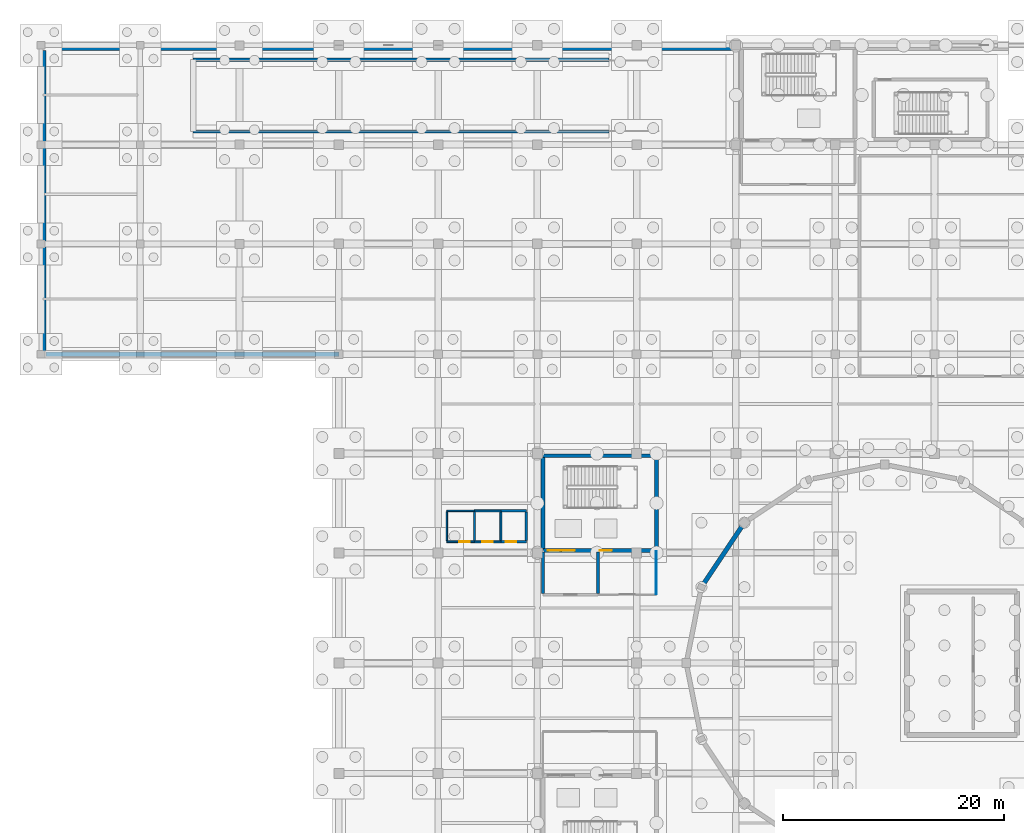
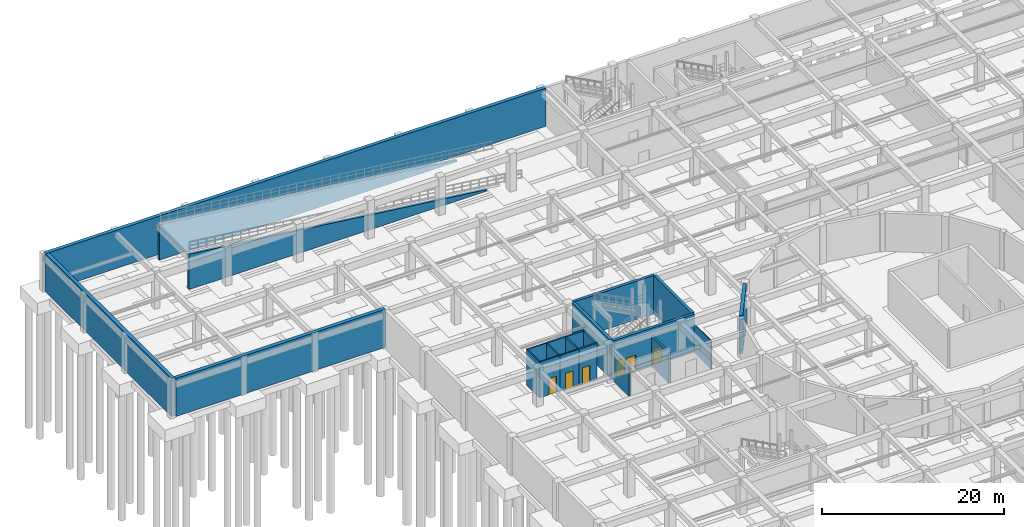
# One storey, part 46 of 62: 23 walls, 6 doors, 6 openings.
"""IFC4 building model written with IfcOpenShell, lengths in metres."""

from ifc_helpers import new_model, si_unit, direction, frame, frame_2d, origin, place, context, subcontext, project, spatial, polyline, rectangle, outline, extrude, material, layer, layer_set, type_object, element, fill, save


model = new_model("IFC4")

# Units and contexts
model_context = context("Model", 3, precision=1e-05, world=origin(), true_north=direction((0.0, 1.0)))
body_context = subcontext(model_context, "Body", "Model", "MODEL_VIEW")
ifc_project = project(units=[si_unit("LENGTHUNIT", "METRE"), si_unit("AREAUNIT", "SQUARE_METRE"), si_unit("VOLUMEUNIT", "CUBIC_METRE"), si_unit("PLANEANGLEUNIT", "RADIAN"), si_unit("MASSUNIT", "GRAM", prefix="KILO")], contexts=[model_context])

# Site, building, storey
site_placement = place(None, origin())
site = spatial("IfcSite", under=ifc_project, at=site_placement, CompositionType="ELEMENT")
building_placement = place(site_placement, origin())
building = spatial("IfcBuilding", under=site, at=building_placement, Name="Miravela Opera House", CompositionType="ELEMENT")
storey_placement = place(building_placement, frame((0.0, 0.0, -5.10009765625)))
storey = spatial("IfcBuildingStorey", under=building, at=storey_placement, Name="B01", CompositionType="ELEMENT", Elevation=-5.10009765625)

# Wall, opening, door
ifc_material_1 = material(Name="Sanitary chase acoustic plumbing wall")
ifc_layer_1 = layer(ifc_material_1, 0.139892578125)
ifc_layer_set_1 = layer_set([ifc_layer_1])
wall_type_1 = type_object("IfcWallType", Name="ARC-PLW-150", PredefinedType="PLUMBINGWALL", material=ifc_layer_set_1)
wall_1_placement = place(storey_placement, frame((36.800048828125, 67.0, 0.0), z_axis=(0.0, 0.0, 1.0), x_axis=(1.0, 0.0, 0.0)))
wall_1 = element("IfcWall", 1, at=wall_1_placement, inside=storey, type_object=wall_type_1, Name="Accessible WC B01 Partition South", PredefinedType="PLUMBINGWALL", context=body_context, shape_type="SweptSolid", body=[
    extrude(rectangle(XDim=2.5, YDim=0.139892578125, at=frame_2d((1.25, 0.0))), origin(), (0.0, 0.0, 1.0), 4.780029296875),
])
opening_1_placement = place(wall_1_placement, frame((1.1123046875, 0.0, 0.0)))
opening_1 = element("IfcOpeningElement", 2, at=opening_1_placement, cuts=wall_1, Name="Opening ID-01", PredefinedType="OPENING", context=body_context, shape_type="SweptSolid", body=[
    extrude(rectangle(XDim=0.949951171875, YDim=2.14990234375, at=frame_2d((0.47509765625, 1.074951171875))), frame((0.0, 0.079833984375, 0.0), z_axis=(0.0, -1.0, 0.0), x_axis=(1.0, 0.0, 0.0)), (0.0, 0.0, 1.0), 0.159912109375),
])
ifc_material_2 = material(Name="Solid mahogany acoustic room door")
door_type_1 = type_object("IfcDoorType", Name="ARC-DR-950X2150", OperationType="NOTDEFINED", PredefinedType="DOOR", material=ifc_material_2)
door_1_placement = place(opening_1_placement, origin())
door_1 = element("IfcDoor", 3, at=door_1_placement, inside=storey, type_object=door_type_1, Name="Accessible WC B01 Entry Door IDR-B01-0068", OperationType="SINGLE_SWING_LEFT", OverallHeight=2.14990234375, OverallWidth=0.949951171875, PredefinedType="DOOR", context=body_context, shape_type="SweptSolid", body=[
    extrude(rectangle(XDim=0.949951171875, YDim=2.14990234375, at=frame_2d((0.47509765625, 1.074951171875))), frame((0.0, 0.02490234375, 0.0), z_axis=(0.0, -1.0, 0.0), x_axis=(1.0, 0.0, 0.0)), (0.0, 0.0, 1.0), 0.050048828125),
])
fill(opening_1, door_1)

# Walls
wall_2_placement = place(storey_placement, frame((36.800048828125, 69.800048828125, 0.0), z_axis=(0.0, 0.0, 1.0), x_axis=(1.0, 0.0, 0.0)))
element("IfcWall", 4, at=wall_2_placement, inside=storey, type_object=wall_type_1, Name="Accessible WC B01 Partition North", PredefinedType="PLUMBINGWALL", context=body_context, shape_type="SweptSolid", body=[
    extrude(rectangle(XDim=2.5, YDim=0.139892578125, at=frame_2d((1.25, 0.0))), origin(), (0.0, 0.0, 1.0), 4.780029296875),
])
for number, where, z_axis, x_axis, name in (
    (5, (36.800048828125, 67.070068359375, 0.0), (0.0, 0.0, 1.0), (0.0, 1.0, 0.0), "Accessible WC B01 Partition West"),
    (6, (39.300048828125, 67.070068359375, 0.0), (0.0, 0.0, 1.0), (0.0, 1.0, 0.0), "Accessible WC B01 Partition East"),
):
    element("IfcWall", number, at=place(storey_placement, frame(where, z_axis=z_axis, x_axis=x_axis)), inside=storey, type_object=wall_type_1, Name=name, PredefinedType="PLUMBINGWALL", context=body_context, shape_type="SweptSolid", body=[
        extrude(rectangle(XDim=2.659912109375, YDim=0.139892578125, at=frame_2d((1.330078125, 0.0))), origin(), (0.0, 0.0, 1.0), 4.780029296875),
    ])

# Wall, opening, door
ifc_material_3 = material(Name="Public washroom wet-service chase wall")
ifc_layer_2 = layer(ifc_material_3, 0.179931640625)
ifc_layer_set_2 = layer_set([ifc_layer_2])
wall_type_2 = type_object("IfcWallType", Name="ARC-PLW-180", PredefinedType="PLUMBINGWALL", material=ifc_layer_set_2)
wall_3_placement = place(storey_placement, frame((39.300048828125, 67.0, 0.0), z_axis=(0.0, 0.0, 1.0), x_axis=(1.0, 0.0, 0.0)))
wall_3 = element("IfcWall", 7, at=wall_3_placement, inside=storey, type_object=wall_type_2, Name="Female Public WC B01 Partition South", PredefinedType="PLUMBINGWALL", context=body_context, shape_type="SweptSolid", body=[
    extrude(rectangle(XDim=2.39990234375, YDim=0.179931640625, at=frame_2d((1.199951171875, 0.0))), origin(), (0.0, 0.0, 1.0), 4.780029296875),
])
opening_2_placement = place(wall_3_placement, frame((0.72509765625, 0.0, 0.0)))
opening_2 = element("IfcOpeningElement", 8, at=opening_2_placement, cuts=wall_3, Name="Opening ID-01", PredefinedType="OPENING", context=body_context, shape_type="SweptSolid", body=[
    extrude(rectangle(XDim=0.949951171875, YDim=2.14990234375, at=frame_2d((0.47509765625, 1.074951171875))), frame((0.0, 0.099853515625, 0.0), z_axis=(0.0, -1.0, 0.0), x_axis=(1.0, 0.0, 0.0)), (0.0, 0.0, 1.0), 0.199951171875),
])
door_2_placement = place(opening_2_placement, origin())
door_2 = element("IfcDoor", 9, at=door_2_placement, inside=storey, type_object=door_type_1, Name="Female Public WC B01 Entry Door IDR-B01-0069", OperationType="SINGLE_SWING_RIGHT", OverallHeight=2.14990234375, OverallWidth=0.949951171875, PredefinedType="DOOR", context=body_context, shape_type="SweptSolid", body=[
    extrude(rectangle(XDim=0.949951171875, YDim=2.14990234375, at=frame_2d((0.47509765625, 1.074951171875))), frame((0.0, 0.02490234375, 0.0), z_axis=(0.0, -1.0, 0.0), x_axis=(1.0, 0.0, 0.0)), (0.0, 0.0, 1.0), 0.050048828125),
])
fill(opening_2, door_2)

# Walls
wall_4_placement = place(storey_placement, frame((39.300048828125, 69.800048828125, 0.0), z_axis=(0.0, 0.0, 1.0), x_axis=(1.0, 0.0, 0.0)))
element("IfcWall", 10, at=wall_4_placement, inside=storey, type_object=wall_type_2, Name="Female Public WC B01 Partition North", PredefinedType="PLUMBINGWALL", context=body_context, shape_type="SweptSolid", body=[
    extrude(rectangle(XDim=2.39990234375, YDim=0.179931640625, at=frame_2d((1.199951171875, 0.0))), origin(), (0.0, 0.0, 1.0), 4.780029296875),
])
wall_5_placement = place(storey_placement, frame((41.699951171875, 67.090087890625, 0.0), z_axis=(0.0, 0.0, 1.0), x_axis=(0.0, 1.0, 0.0)))
element("IfcWall", 11, at=wall_5_placement, inside=storey, type_object=wall_type_2, Name="Female Public WC B01 Partition East", PredefinedType="PLUMBINGWALL", context=body_context, shape_type="SweptSolid", body=[
    extrude(rectangle(XDim=2.619873046875, YDim=0.179931640625, at=frame_2d((1.31005859375, 0.0))), origin(), (0.0, 0.0, 1.0), 4.780029296875),
])

# Wall, opening, door
ifc_material_4 = material(Name="Dressing suite sanitary chase wall")
ifc_layer_3 = layer(ifc_material_4, 0.219970703125)
ifc_layer_set_3 = layer_set([ifc_layer_3])
wall_type_3 = type_object("IfcWallType", Name="ARC-PLW-215", PredefinedType="PLUMBINGWALL", material=ifc_layer_set_3)
wall_6_placement = place(storey_placement, frame((41.699951171875, 67.0, 0.0), z_axis=(0.0, 0.0, 1.0), x_axis=(1.0, 0.0, 0.0)))
wall_6 = element("IfcWall", 12, at=wall_6_placement, inside=storey, type_object=wall_type_3, Name="Male Public WC B01 Partition South", PredefinedType="PLUMBINGWALL", context=body_context, shape_type="SweptSolid", body=[
    extrude(rectangle(XDim=2.300048828125, YDim=0.219970703125, at=frame_2d((1.14990234375, 0.0))), origin(), (0.0, 0.0, 1.0), 4.780029296875),
])
opening_3_placement = place(wall_6_placement, frame((0.4326171875, 0.0, 0.0)))
opening_3 = element("IfcOpeningElement", 13, at=opening_3_placement, cuts=wall_6, Name="Opening ID-01", PredefinedType="OPENING", context=body_context, shape_type="SweptSolid", body=[
    extrude(rectangle(XDim=0.949951171875, YDim=2.14990234375, at=frame_2d((0.47509765625, 1.074951171875))), frame((0.0, 0.119873046875, 0.0), z_axis=(0.0, -1.0, 0.0), x_axis=(1.0, 0.0, 0.0)), (0.0, 0.0, 1.0), 0.239990234375),
])
door_3_placement = place(opening_3_placement, origin())
door_3 = element("IfcDoor", 14, at=door_3_placement, inside=storey, type_object=door_type_1, Name="Male Public WC B01 Entry Door IDR-B01-0070", OperationType="SINGLE_SWING_LEFT", OverallHeight=2.14990234375, OverallWidth=0.949951171875, PredefinedType="DOOR", context=body_context, shape_type="SweptSolid", body=[
    extrude(rectangle(XDim=0.949951171875, YDim=2.14990234375, at=frame_2d((0.47509765625, 1.074951171875))), frame((0.0, 0.02490234375, 0.0), z_axis=(0.0, -1.0, 0.0), x_axis=(1.0, 0.0, 0.0)), (0.0, 0.0, 1.0), 0.050048828125),
])
fill(opening_3, door_3)

# Walls
wall_7_placement = place(storey_placement, frame((41.699951171875, 69.800048828125, 0.0), z_axis=(0.0, 0.0, 1.0), x_axis=(1.0, 0.0, 0.0)))
element("IfcWall", 15, at=wall_7_placement, inside=storey, type_object=wall_type_3, Name="Male Public WC B01 Partition North", PredefinedType="PLUMBINGWALL", context=body_context, shape_type="SweptSolid", body=[
    extrude(rectangle(XDim=2.300048828125, YDim=0.219970703125, at=frame_2d((1.14990234375, 0.0))), origin(), (0.0, 0.0, 1.0), 4.780029296875),
])
wall_8_placement = place(storey_placement, frame((44.0, 67.110107421875, 0.0), z_axis=(0.0, 0.0, 1.0), x_axis=(0.0, 1.0, 0.0)))
element("IfcWall", 16, at=wall_8_placement, inside=storey, type_object=wall_type_3, Name="Male Public WC B01 Partition East", PredefinedType="PLUMBINGWALL", context=body_context, shape_type="SweptSolid", body=[
    extrude(rectangle(XDim=2.579833984375, YDim=0.219970703125, at=frame_2d((1.2900390625, 0.0))), origin(), (0.0, 0.0, 1.0), 4.780029296875),
])
ifc_material_5 = material(Name="Acoustic metal-stud gypsum partition")
ifc_layer_4 = layer(ifc_material_5, 0.090087890625)
ifc_layer_set_4 = layer_set([ifc_layer_4])
wall_type_4 = type_object("IfcWallType", Name="ARC-PT-090", PredefinedType="PARTITIONING", material=ifc_layer_set_4)
wall_9_placement = place(storey_placement, frame((55.800048828125, 62.2451171875, 0.0), z_axis=(0.0, 0.0, 1.0), x_axis=(0.0, 1.0, 0.0)))
element("IfcWall", 17, at=wall_9_placement, inside=storey, type_object=wall_type_4, Name="Passenger Lift Lobby K1 B01 Partition East", PredefinedType="PARTITIONING", context=body_context, shape_type="SweptSolid", body=[
    extrude(rectangle(XDim=3.909912109375, YDim=0.090087890625, at=frame_2d((1.955078125, 0.0))), origin(), (0.0, 0.0, 1.0), 3.800048828125),
])
ifc_material_6 = material(Name="Firefighting lobby compartment wall")
ifc_layer_5 = layer(ifc_material_6, 0.25)
ifc_layer_set_5 = layer_set([ifc_layer_5])
wall_type_5 = type_object("IfcWallType", Name="ARC-PT-220", PredefinedType="PARTITIONING", material=ifc_layer_set_5)
for number, where, z_axis, x_axis, name in (
    (18, (45.5, 62.324951171875, 0.0), (0.0, 0.0, 1.0), (0.0, 1.0, 0.0), "Firefighting Lobby K1 B01 Partition West"),
    (19, (50.5, 62.324951171875, 0.0), (0.0, 0.0, 1.0), (0.0, 1.0, 0.0), "Firefighting Lobby K1 B01 Partition East"),
):
    element("IfcWall", number, at=place(storey_placement, frame(where, z_axis=z_axis, x_axis=x_axis)), inside=storey, type_object=wall_type_5, Name=name, PredefinedType="PARTITIONING", context=body_context, shape_type="SweptSolid", body=[
        extrude(rectangle(XDim=3.75, YDim=0.25, at=frame_2d((1.875, 0.0))), origin(), (0.0, 0.0, 1.0), 4.050048828125),
    ])

# Wall, openings, doors
ifc_material_7 = material(Name="Concrete C40/50", Category="concrete")
ifc_layer_6 = layer(ifc_material_7, 0.35009765625)
ifc_layer_set_6 = layer_set([ifc_layer_6])
wall_type_6 = type_object("IfcWallType", Name="STR-WALL-CORE-350", PredefinedType="SHEAR", material=ifc_layer_set_6)
wall_10_placement = place(storey_placement, frame((45.5, 66.199951171875, 0.0), z_axis=(0.0, 0.0, 1.0), x_axis=(1.0, 0.0, 0.0)))
wall_10 = element("IfcWall", 20, at=wall_10_placement, inside=storey, type_object=wall_type_6, Name="Core K1 Shear Wall South (B01)", PredefinedType="SHEAR", context=body_context, shape_type="SweptSolid", body=[
    extrude(rectangle(XDim=10.300048828125, YDim=0.35009765625, at=frame_2d((5.14990234375, 0.0))), origin(), (0.0, 0.0, 1.0), 5.10009765625),
])
opening_4_placement = place(wall_10_placement, frame((0.449951171875, 0.0, 0.0)))
opening_4 = element("IfcOpeningElement", 21, at=opening_4_placement, cuts=wall_10, Name="Opening FD-01", PredefinedType="OPENING", context=body_context, shape_type="SweptSolid", body=[
    extrude(rectangle(XDim=1.10009765625, YDim=2.199951171875, at=frame_2d((0.550048828125, 1.10009765625))), frame((0.0, 0.18505859375, 0.0), z_axis=(0.0, -1.0, 0.0), x_axis=(1.0, 0.0, 0.0)), (0.0, 0.0, 1.0), 0.3701171875),
])
opening_5_placement = place(wall_10_placement, frame((1.68994140625, 0.0, 0.0)))
opening_5 = element("IfcOpeningElement", 22, at=opening_5_placement, cuts=wall_10, Name="Opening LD-01", PredefinedType="OPENING", context=body_context, shape_type="SweptSolid", body=[
    extrude(rectangle(XDim=1.219970703125, YDim=2.199951171875, at=frame_2d((0.60986328125, 1.10009765625))), frame((0.0, 0.18505859375, 0.0), z_axis=(0.0, -1.0, 0.0), x_axis=(1.0, 0.0, 0.0)), (0.0, 0.0, 1.0), 0.3701171875),
])
opening_6_placement = place(wall_10_placement, frame((5.139892578125, 0.0, 0.0)))
opening_6 = element("IfcOpeningElement", 23, at=opening_6_placement, cuts=wall_10, Name="Opening LD-02", PredefinedType="OPENING", context=body_context, shape_type="SweptSolid", body=[
    extrude(rectangle(XDim=1.1201171875, YDim=2.159912109375, at=frame_2d((0.56005859375, 1.080078125))), frame((0.0, 0.18505859375, 0.0), z_axis=(0.0, -1.0, 0.0), x_axis=(1.0, 0.0, 0.0)), (0.0, 0.0, 1.0), 0.3701171875),
])
ifc_material_8 = material(Name="Fire-rated steel/hardwood exit stair door", Category="steel")
door_type_2 = type_object("IfcDoorType", Name="ARC-FD-1100X2200", OperationType="NOTDEFINED", PredefinedType="DOOR", material=ifc_material_8)
door_4_placement = place(opening_4_placement, origin())
door_4 = element("IfcDoor", 24, at=door_4_placement, inside=storey, type_object=door_type_2, Name="Exit Stair ST-01 Rated Door (B01) IDR-B01-0001", OperationType="SINGLE_SWING_LEFT", OverallHeight=2.199951171875, OverallWidth=1.10009765625, PredefinedType="DOOR", context=body_context, shape_type="SweptSolid", body=[
    extrude(rectangle(XDim=1.10009765625, YDim=2.199951171875, at=frame_2d((0.550048828125, 1.10009765625))), frame((0.0, 0.02490234375, 0.0), z_axis=(0.0, -1.0, 0.0), x_axis=(1.0, 0.0, 0.0)), (0.0, 0.0, 1.0), 0.050048828125),
])
fill(opening_4, door_4)
ifc_material_9 = material(Name="Brushed stainless and bronze fire-rated lift landing door")
door_type_3 = type_object("IfcDoorType", Name="ARC-LD-FFL-1200X2200", OperationType="SLIDING_TO_LEFT", PredefinedType="DOOR", material=ifc_material_9)
door_5_placement = place(opening_5_placement, origin())
door_5 = element("IfcDoor", 25, at=door_5_placement, inside=storey, type_object=door_type_3, Name="Lift Landing Door FFL-01 (B01)", OperationType="SLIDING_TO_LEFT", OverallHeight=2.199951171875, OverallWidth=1.219970703125, PredefinedType="DOOR", context=body_context, shape_type="SweptSolid", body=[
    extrude(rectangle(XDim=1.219970703125, YDim=2.199951171875, at=frame_2d((0.60986328125, 1.10009765625))), frame((0.0, 0.02490234375, 0.0), z_axis=(0.0, -1.0, 0.0), x_axis=(1.0, 0.0, 0.0)), (0.0, 0.0, 1.0), 0.050048828125),
])
fill(opening_5, door_5)
door_type_4 = type_object("IfcDoorType", Name="ARC-LD-PAX-1100X2150", OperationType="SLIDING_TO_LEFT", PredefinedType="DOOR", material=ifc_material_9)
door_6_placement = place(opening_6_placement, origin())
door_6 = element("IfcDoor", 26, at=door_6_placement, inside=storey, type_object=door_type_4, Name="Lift Landing Door PL-01 (B01)", OperationType="SLIDING_TO_LEFT", OverallHeight=2.159912109375, OverallWidth=1.1201171875, PredefinedType="DOOR", context=body_context, shape_type="SweptSolid", body=[
    extrude(rectangle(XDim=1.1201171875, YDim=2.159912109375, at=frame_2d((0.56005859375, 1.080078125))), frame((0.0, 0.02490234375, 0.0), z_axis=(0.0, -1.0, 0.0), x_axis=(1.0, 0.0, 0.0)), (0.0, 0.0, 1.0), 0.050048828125),
])
fill(opening_6, door_6)

# Walls
wall_11_placement = place(storey_placement, frame((45.5, 74.800048828125, 0.0), z_axis=(0.0, 0.0, 1.0), x_axis=(1.0, 0.0, 0.0)))
element("IfcWall", 27, at=wall_11_placement, inside=storey, type_object=wall_type_6, Name="Core K1 Shear Wall North (B01)", PredefinedType="SHEAR", context=body_context, shape_type="SweptSolid", body=[
    extrude(rectangle(XDim=10.300048828125, YDim=0.35009765625, at=frame_2d((5.14990234375, 0.0))), origin(), (0.0, 0.0, 1.0), 5.10009765625),
])
for number, where, z_axis, x_axis, name in (
    (28, (45.5, 66.375, 0.0), (0.0, 0.0, 1.0), (0.0, 1.0, 0.0), "Core K1 Shear Wall West (B01)"),
    (29, (55.800048828125, 66.375, 0.0), (0.0, 0.0, 1.0), (0.0, 1.0, 0.0), "Core K1 Shear Wall East (B01)"),
):
    element("IfcWall", number, at=place(storey_placement, frame(where, z_axis=z_axis, x_axis=x_axis)), inside=storey, type_object=wall_type_6, Name=name, PredefinedType="SHEAR", context=body_context, shape_type="SweptSolid", body=[
        extrude(rectangle(XDim=8.25, YDim=0.35009765625, at=frame_2d((4.125, 0.0))), origin(), (0.0, 0.0, 1.0), 5.10009765625),
    ])
ifc_layer_7 = layer(ifc_material_7, 0.39990234375)
ifc_layer_set_7 = layer_set([ifc_layer_7])
wall_type_7 = type_object("IfcWallType", Name="STR-WALL-DRUM-400", PredefinedType="SHEAR", material=ifc_layer_set_7)
wall_12_placement = place(storey_placement, frame((63.5498046875, 68.395263671875, 0.0), z_axis=(0.0, 0.0, 1.0), x_axis=(-0.555587101324, -0.831458341015, 0.0)))
element("IfcWall", 30, at=wall_12_placement, inside=storey, type_object=wall_type_7, Name="Auditorium Drum Shear Wall B01 Seg 7", PredefinedType="SHEAR", context=body_context, shape_type="SweptSolid", body=[
    extrude(rectangle(XDim=6.22314453125, YDim=0.39990234375, at=frame_2d((3.111572265625, 0.0))), origin(), (0.0, 0.0, 1.0), 5.10009765625),
])
ifc_layer_8 = layer(ifc_material_7, 0.449951171875)
ifc_layer_set_8 = layer_set([ifc_layer_8])
wall_type_8 = type_object("IfcWallType", Name="STR-WALL-RET-450", PredefinedType="SOLIDWALL", material=ifc_layer_set_8)
wall_13_placement = place(storey_placement, frame((0.0, 111.77490234375, 0.0), z_axis=(0.0, 0.0, 1.0), x_axis=(1.0, 0.0, 0.0)))
element("IfcWall", 31, at=wall_13_placement, inside=storey, type_object=wall_type_8, Name="Basement Retaining Wall B01-RET-N1W", PredefinedType="SOLIDWALL", context=body_context, shape_type="SweptSolid", body=[
    extrude(rectangle(XDim=63.300048828125, YDim=0.449951171875, at=frame_2d((31.64990234375, 0.0))), origin(), (0.0, 0.0, 1.0), 5.10009765625),
])
wall_14_placement = place(storey_placement, frame((0.22509765625, 84.0, 0.0), z_axis=(0.0, 0.0, 1.0), x_axis=(0.0, 1.0, 0.0)))
element("IfcWall", 32, at=wall_14_placement, inside=storey, type_object=wall_type_8, Name="Basement Retaining Wall B01-RET-WN", PredefinedType="SOLIDWALL", context=body_context, shape_type="SweptSolid", body=[
    extrude(rectangle(XDim=27.550048828125, YDim=0.449951171875, at=frame_2d((13.77490234375, 0.0))), origin(), (0.0, 0.0, 1.0), 5.10009765625),
])
wall_15_placement = place(storey_placement, frame((0.449951171875, 84.0, 0.0), z_axis=(0.0, 0.0, 1.0), x_axis=(1.0, 0.0, 0.0)))
element("IfcWall", 33, at=wall_15_placement, inside=storey, type_object=wall_type_8, Name="Basement Retaining Wall B01-RET-FN", PredefinedType="SOLIDWALL", context=body_context, shape_type="SweptSolid", body=[
    extrude(rectangle(XDim=26.550048828125, YDim=0.449951171875, at=frame_2d((13.27490234375, 0.0))), origin(), (0.0, 0.0, 1.0), 5.10009765625),
])
ifc_material_10 = material(Name="Concrete C35/45", Category="concrete")
ifc_layer_9 = layer(ifc_material_10, 0.300048828125)
ifc_layer_set_9 = layer_set([ifc_layer_9])
wall_type_9 = type_object("IfcWallType", Name="STR-WALL-WING-300", PredefinedType="SHEAR", material=ifc_layer_set_9)
for number, where, z_axis, x_axis, name in (
    (34, (13.800048828125, 104.199951171875, 0.0), (0.0, 0.0, 1.0), (1.0, 0.0, 0.0), "Vehicle Ramp Structural Support Wall S (B01)"),
    (35, (13.800048828125, 110.699951171875, 0.0), (0.0, 0.0, 1.0), (1.0, 0.0, 0.0), "Vehicle Ramp Structural Support Wall N (B01)"),
):
    element("IfcWall", number, at=place(storey_placement, frame(where, z_axis=z_axis, x_axis=x_axis)), inside=storey, type_object=wall_type_9, Name=name, PredefinedType="SHEAR", context=body_context, shape_type="SweptSolid", body=[
        extrude(outline(polyline([(0.0, 0.0), (37.699951171875, 0.0), (37.699951171875, 0.2080078125), (0.0, 4.748046875), (0.0, 0.0)])), frame((0.0, 0.14990234375, 0.0), z_axis=(0.0, -1.0, 0.0), x_axis=(1.0, 0.0, 0.0)), (0.0, 0.0, 1.0), 0.300048828125),
    ])

save(model, "model.ifc")
